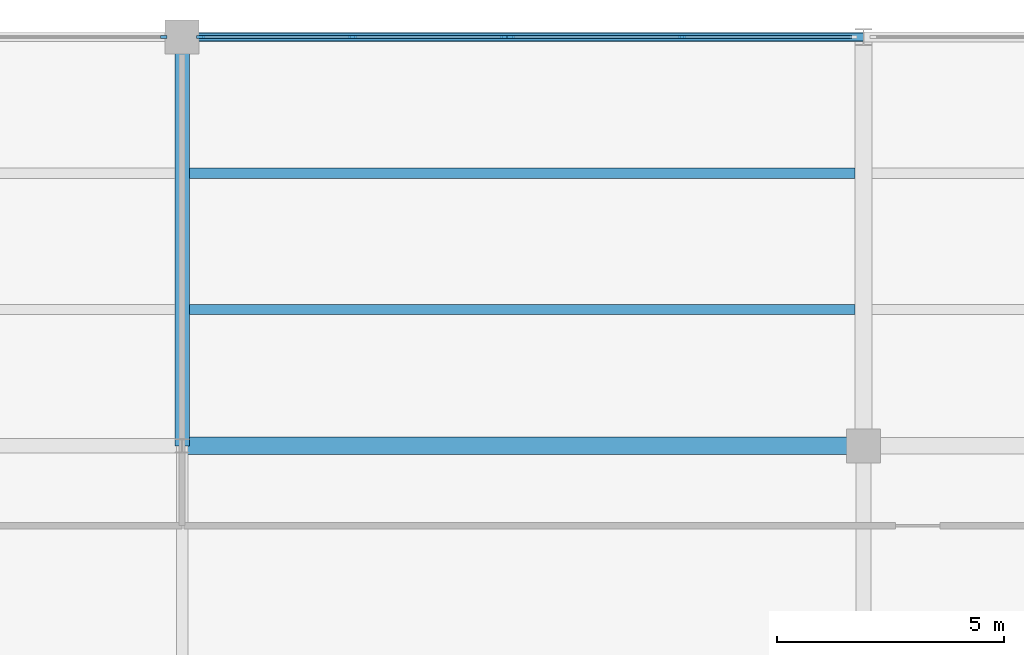
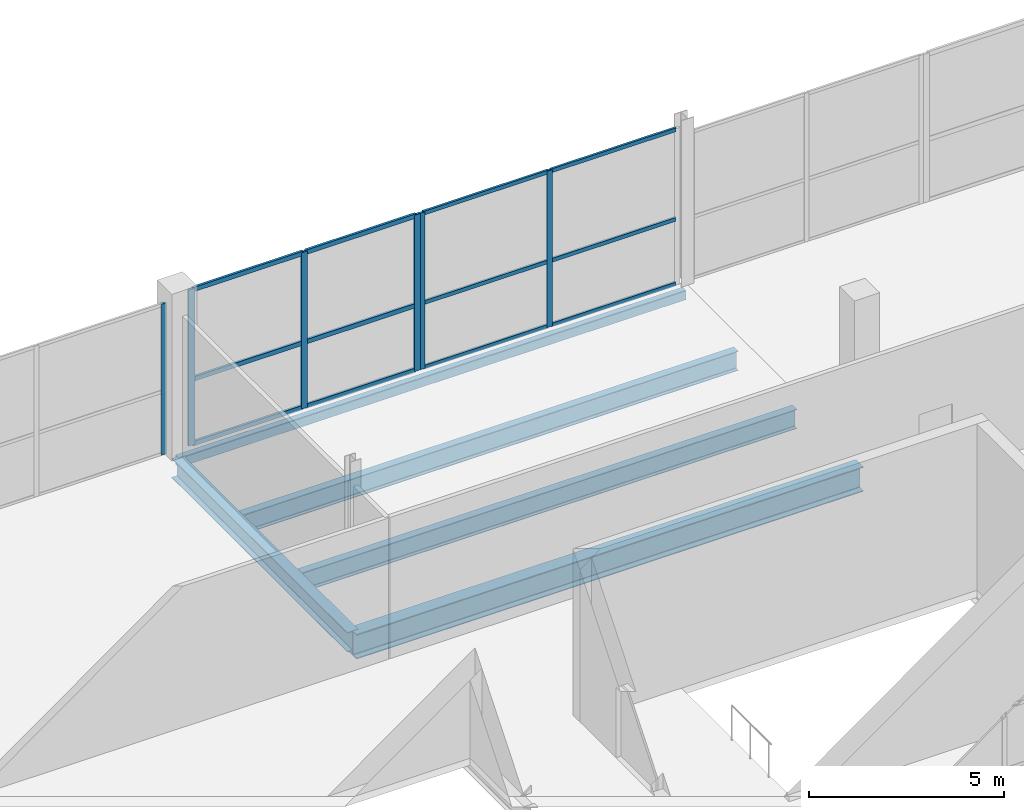
# One storey, part 35 of 119: 18 members, 5 beams, 3 elements without a shape of their own.
"""IFC4 building model written with IfcOpenShell, lengths in metres."""

from ifc_helpers import new_model, si_unit, direction, frame, origin, origin_2d, place, context, subcontext, project, spatial, rectangle, hollow_rectangle, i_section, extrude, material, layer, layer_set, material_profile, profile_set, type_object, element, aggregate, save


model = new_model("IFC4")

# Units and contexts
model_context = context("Model", 3, precision=1e-05, world=origin(), true_north=direction((0.0, 1.0)))
body_context = subcontext(model_context, "Body", "Model", "MODEL_VIEW")
ifc_project = project(units=[si_unit("LENGTHUNIT", "METRE"), si_unit("AREAUNIT", "SQUARE_METRE"), si_unit("VOLUMEUNIT", "CUBIC_METRE"), si_unit("PLANEANGLEUNIT", "RADIAN"), si_unit("MASSUNIT", "GRAM", prefix="KILO")], contexts=[model_context])

# Site, building, storey
site_placement = place(None, origin())
site = spatial("IfcSite", under=ifc_project, at=site_placement, CompositionType="ELEMENT")
building_placement = place(site_placement, origin())
building = spatial("IfcBuilding", under=site, at=building_placement, Name="Qamarlyn Nura Convention Centre", CompositionType="ELEMENT")
storey_placement = place(building_placement, frame((0.0, 0.0, 5.39990234375)))
storey = spatial("IfcBuildingStorey", under=building, at=storey_placement, Name="L01", CompositionType="ELEMENT", Elevation=5.39990234375)

# Beams
ifc_material_1 = material(Name="Steel ASTM A992", Category="steel")
ifc_material_profile_1 = material_profile(ifc_material_1, i_section(OverallWidth=0.323974609375, OverallDepth=0.611083984375, WebThickness=0.0126953125, FlangeThickness=0.01904296875, FilletRadius=0.01611328125, at=origin_2d()), Name="W610X155")
ifc_profile_set_1 = profile_set([ifc_material_profile_1], Name="Steel ASTM A992")
beam_type_1 = type_object("IfcBeamType", Name="BM-GIRD-610", PredefinedType="BEAM", material=ifc_profile_set_1)
beam_1_placement = place(storey_placement, frame((45.0, 117.0, -0.525390625), z_axis=(0.0, 1.0, 0.0), x_axis=(-1.0, 0.0, 0.0)))
element("IfcBeam", 1, at=beam_1_placement, inside=storey, type_object=beam_type_1, Name="L01 girder 4 P-Q", PredefinedType="BEAM", context=body_context, shape_type="SweptSolid", body=[
    extrude(i_section(OverallWidth=0.323974609375, OverallDepth=0.611083984375, WebThickness=0.0126953125, FlangeThickness=0.01904296875, FilletRadius=0.01611328125, at=origin_2d()), origin(), (0.0, 0.0, 1.0), 9.0),
])
ifc_material_profile_2 = material_profile(ifc_material_1, i_section(OverallWidth=0.381103515625, OverallDepth=0.77294921875, WebThickness=0.0166015625, FlangeThickness=0.027587890625, FilletRadius=0.02001953125, at=origin_2d()), Name="W760X257")
ifc_profile_set_2 = profile_set([ifc_material_profile_2], Name="Steel ASTM A992")
beam_type_2 = type_object("IfcBeamType", Name="BM-GIRD-760", PredefinedType="BEAM", material=ifc_profile_set_2)
beam_2_placement = place(storey_placement, frame((45.0, 117.0, -0.6064453125), z_axis=(1.0, 0.0, 0.0), x_axis=(0.0, 1.0, 0.0)))
element("IfcBeam", 2, at=beam_2_placement, inside=storey, type_object=beam_type_2, Name="L01 girder P 4-5", PredefinedType="BEAM", context=body_context, shape_type="SweptSolid", body=[
    extrude(i_section(OverallWidth=0.381103515625, OverallDepth=0.77294921875, WebThickness=0.0166015625, FlangeThickness=0.027587890625, FilletRadius=0.02001953125, at=origin_2d()), origin(), (0.0, 0.0, 1.0), 15.0),
])
ifc_material_profile_3 = material_profile(ifc_material_1, i_section(OverallWidth=0.22802734375, OverallDepth=0.60791015625, WebThickness=0.01123046875, FlangeThickness=0.017333984375, FilletRadius=0.01611328125, at=origin_2d()), Name="W610X113")
ifc_profile_set_3 = profile_set([ifc_material_profile_3], Name="Steel ASTM A992")
beam_type_3 = type_object("IfcBeamType", Name="BM-JOIST-610", PredefinedType="JOIST", material=ifc_profile_set_3)
for number, where, z_axis, x_axis, name in (
    (3, (45.162109375, 120.0, -0.52392578125), (1.0, 0.0, 0.0), (0.0, 1.0, 0.0), "L01 composite joist 4-5/P+1"),
    (4, (45.162109375, 123.0, -0.52392578125), (1.0, 0.0, 0.0), (0.0, 1.0, 0.0), "L01 composite joist 4-5/P+2"),
):
    element("IfcBeam", number, at=place(storey_placement, frame(where, z_axis=z_axis, x_axis=x_axis)), inside=storey, type_object=beam_type_3, Name=name, PredefinedType="JOIST", context=body_context, shape_type="SweptSolid", body=[
        extrude(i_section(OverallWidth=0.22802734375, OverallDepth=0.60791015625, WebThickness=0.01123046875, FlangeThickness=0.017333984375, FilletRadius=0.01611328125, at=origin_2d()), origin(), (0.0, 0.0, 1.0), 14.6474609375),
    ])
ifc_material_2 = material(Name="Steel ASTM A500 Grade C", Category="steel")
ifc_material_profile_4 = material_profile(ifc_material_2, hollow_rectangle(XDim=0.199951171875, YDim=0.300048828125, WallThickness=0.012451171875, InnerFilletRadius=0.012451171875, OuterFilletRadius=0.02490234375, at=origin_2d()), Name="HSS300X200X12.5")
ifc_profile_set_4 = profile_set([ifc_material_profile_4], Name="Steel ASTM A500 Grade C")
beam_type_4 = type_object("IfcBeamType", Name="BM-SPAN-HSS", PredefinedType="SPANDREL", material=ifc_profile_set_4)
beam_3_placement = place(storey_placement, frame((45.0, 126.0, -0.369873046875), z_axis=(1.0, 0.0, 0.0), x_axis=(0.0, 1.0, 0.0)))
element("IfcBeam", 5, at=beam_3_placement, inside=storey, type_object=beam_type_4, Name="L01 girder Q 4-5", PredefinedType="SPANDREL", context=body_context, shape_type="SweptSolid", body=[
    extrude(hollow_rectangle(XDim=0.199951171875, YDim=0.300048828125, WallThickness=0.012451171875, InnerFilletRadius=0.012451171875, OuterFilletRadius=0.02490234375, at=origin_2d()), origin(), (0.0, 0.0, 1.0), 15.0),
])

# Curtain wall, member
ifc_material_3 = material(Name="Double-silver low-E insulated glass", Category="glass")
ifc_layer_1 = layer(ifc_material_3, 0.179931640625, Name="CW-UNIT-46")
ifc_layer_set_1 = layer_set([ifc_layer_1], Name="Double-silver low-E insulated glass")
curtain_wall_type_1 = type_object("IfcCurtainWallType", Name="CW-UNIT-46", PredefinedType="NOTDEFINED", material=ifc_layer_set_1)
curtain_wall_1_placement = place(storey_placement, origin())
curtain_wall_1 = element("IfcCurtainWall", 6, at=curtain_wall_1_placement, inside=storey, type_object=curtain_wall_type_1, Name="L01 unitised curtain wall NS-N2-1B", PredefinedType="NOTDEFINED")
ifc_material_4 = material(Name="Champagne-anodised marine aluminium", Category="aluminium")
ifc_material_profile_5 = material_profile(ifc_material_4, rectangle(XDim=0.06005859375, YDim=0.139892578125, at=origin_2d()), Name="ALU MULLION 60x140")
ifc_profile_set_5 = profile_set([ifc_material_profile_5], Name="Champagne-anodised marine aluminium")
member_type_1 = type_object("IfcMemberType", Name="CWM-140", PredefinedType="MULLION", material=ifc_profile_set_5)
member_1_placement = place(storey_placement, frame((44.594970703125, 126.0, 0.0), z_axis=(0.0, 0.0, 1.0), x_axis=(0.0, 1.0, 0.0)))
member_1 = element("IfcMember", 7, at=member_1_placement, type_object=member_type_1, Name="CW46 mullion 3", PredefinedType="MULLION", context=body_context, shape_type="SweptSolid", body=[
    extrude(rectangle(XDim=0.06005859375, YDim=0.139892578125, at=origin_2d()), origin(), (0.0, 0.0, 1.0), 4.72412109375),
])
aggregate(curtain_wall_1, [member_1])

# Curtain wall, members
ifc_layer_2 = layer(ifc_material_3, 0.179931640625, Name="CW-UNIT-48")
ifc_layer_set_2 = layer_set([ifc_layer_2], Name="Double-silver low-E insulated glass")
curtain_wall_type_2 = type_object("IfcCurtainWallType", Name="CW-UNIT-48", PredefinedType="NOTDEFINED", material=ifc_layer_set_2)
curtain_wall_2_placement = place(storey_placement, origin())
curtain_wall_2 = element("IfcCurtainWall", 8, at=curtain_wall_2_placement, inside=storey, type_object=curtain_wall_type_2, Name="L01 unitised curtain wall NS-N3-1B", PredefinedType="NOTDEFINED")
ifc_material_profile_6 = material_profile(ifc_material_4, rectangle(XDim=0.06494140625, YDim=0.159912109375, at=origin_2d()), Name="ALU MULLION 65x160")
ifc_profile_set_6 = profile_set([ifc_material_profile_6], Name="Champagne-anodised marine aluminium")
member_type_2 = type_object("IfcMemberType", Name="CWM-160", PredefinedType="MULLION", material=ifc_profile_set_6)
member_2_placement = place(storey_placement, frame((52.2333984375, 126.0, 0.0), z_axis=(0.0, 0.0, 1.0), x_axis=(0.0, 1.0, 0.0)))
member_2 = element("IfcMember", 9, at=member_2_placement, type_object=member_type_2, Name="CW48 mullion 1", PredefinedType="MULLION", context=body_context, shape_type="SweptSolid", body=[
    extrude(rectangle(XDim=0.06494140625, YDim=0.159912109375, at=origin_2d()), origin(), (0.0, 0.0, 1.0), 4.89013671875),
])
member_3_placement = place(storey_placement, frame((56.0068359375, 126.0, 0.0), z_axis=(0.0, 0.0, 1.0), x_axis=(0.0, 1.0, 0.0)))
member_3 = element("IfcMember", 10, at=member_3_placement, type_object=member_type_2, Name="CW48 mullion 2", PredefinedType="MULLION", context=body_context, shape_type="SweptSolid", body=[
    extrude(rectangle(XDim=0.06494140625, YDim=0.159912109375, at=origin_2d()), origin(), (0.0, 0.0, 1.0), 4.89013671875),
])

ifc_layer_3 = layer(ifc_material_3, 0.179931640625, Name="CW-UNIT-47")
ifc_layer_set_3 = layer_set([ifc_layer_3], Name="Double-silver low-E insulated glass")
curtain_wall_type_3 = type_object("IfcCurtainWallType", Name="CW-UNIT-47", PredefinedType="NOTDEFINED", material=ifc_layer_set_3)
curtain_wall_3_placement = place(storey_placement, origin())
curtain_wall_3 = element("IfcCurtainWall", 11, at=curtain_wall_3_placement, inside=storey, type_object=curtain_wall_type_3, Name="L01 unitised curtain wall NS-N3-1A", PredefinedType="NOTDEFINED")
ifc_material_profile_7 = material_profile(ifc_material_4, rectangle(XDim=0.070068359375, YDim=0.179931640625, at=origin_2d()), Name="ALU MULLION 70x180")
ifc_profile_set_7 = profile_set([ifc_material_profile_7], Name="Champagne-anodised marine aluminium")
member_type_3 = type_object("IfcMemberType", Name="CWM-180", PredefinedType="MULLION", material=ifc_profile_set_7)
member_4_placement = place(storey_placement, frame((45.409912109375, 126.0, 0.0), z_axis=(0.0, 0.0, 1.0), x_axis=(0.0, 1.0, 0.0)))
member_4 = element("IfcMember", 12, at=member_4_placement, type_object=member_type_3, Name="CW47 mullion 1", PredefinedType="MULLION", context=body_context, shape_type="SweptSolid", body=[
    extrude(rectangle(XDim=0.070068359375, YDim=0.179931640625, at=origin_2d()), origin(), (0.0, 0.0, 1.0), 4.89013671875),
])
member_5_placement = place(storey_placement, frame((48.748046875, 126.0, 0.0), z_axis=(0.0, 0.0, 1.0), x_axis=(0.0, 1.0, 0.0)))
member_5 = element("IfcMember", 13, at=member_5_placement, type_object=member_type_3, Name="CW47 mullion 2", PredefinedType="MULLION", context=body_context, shape_type="SweptSolid", body=[
    extrude(rectangle(XDim=0.070068359375, YDim=0.179931640625, at=origin_2d()), origin(), (0.0, 0.0, 1.0), 4.89013671875),
])
member_6_placement = place(storey_placement, frame((52.0859375, 126.0, 0.0), z_axis=(0.0, 0.0, 1.0), x_axis=(0.0, 1.0, 0.0)))
member_6 = element("IfcMember", 14, at=member_6_placement, type_object=member_type_3, Name="CW47 mullion 3", PredefinedType="MULLION", context=body_context, shape_type="SweptSolid", body=[
    extrude(rectangle(XDim=0.070068359375, YDim=0.179931640625, at=origin_2d()), origin(), (0.0, 0.0, 1.0), 4.89013671875),
])

# Member
ifc_material_profile_8 = material_profile(ifc_material_4, rectangle(XDim=0.06494140625, YDim=0.1201171875, at=origin_2d()), Name="ALU TRANSOM 65x120")
ifc_profile_set_8 = profile_set([ifc_material_profile_8], Name="Champagne-anodised marine aluminium")
member_type_4 = type_object("IfcMemberType", Name="CWT-120", PredefinedType="USERDEFINED", material=ifc_profile_set_8)
member_7_placement = place(storey_placement, frame((52.265869140625, 126.0, 0.03271484375), z_axis=(1.0, 0.0, 0.0), x_axis=(0.0, 1.0, 0.0)))
member_7 = element("IfcMember", 15, at=member_7_placement, type_object=member_type_4, Name="CW48 transom 1.1", ObjectType="TRANSOM", PredefinedType="USERDEFINED", context=body_context, shape_type="SweptSolid", body=[
    extrude(rectangle(XDim=0.06494140625, YDim=0.1201171875, at=origin_2d()), origin(), (0.0, 0.0, 1.0), 3.70849609375),
])

member_8_placement = place(storey_placement, frame((52.265869140625, 126.0, 2.05419921875), z_axis=(1.0, 0.0, 0.0), x_axis=(0.0, 1.0, 0.0)))
member_8 = element("IfcMember", 16, at=member_8_placement, type_object=member_type_4, Name="CW48 transom 1.2", ObjectType="TRANSOM", PredefinedType="USERDEFINED", context=body_context, shape_type="SweptSolid", body=[
    extrude(rectangle(XDim=0.06494140625, YDim=0.1201171875, at=origin_2d()), origin(), (0.0, 0.0, 1.0), 3.70849609375),
])

member_9_placement = place(storey_placement, frame((52.265869140625, 126.0, 4.857666015625), z_axis=(1.0, 0.0, 0.0), x_axis=(0.0, 1.0, 0.0)))
member_9 = element("IfcMember", 17, at=member_9_placement, type_object=member_type_4, Name="CW48 transom 1.3", ObjectType="TRANSOM", PredefinedType="USERDEFINED", context=body_context, shape_type="SweptSolid", body=[
    extrude(rectangle(XDim=0.06494140625, YDim=0.1201171875, at=origin_2d()), origin(), (0.0, 0.0, 1.0), 3.70849609375),
])

member_10_placement = place(storey_placement, frame((56.03955078125, 126.0, 0.03271484375), z_axis=(1.0, 0.0, 0.0), x_axis=(0.0, 1.0, 0.0)))
member_10 = element("IfcMember", 18, at=member_10_placement, type_object=member_type_4, Name="CW48 transom 2.1", ObjectType="TRANSOM", PredefinedType="USERDEFINED", context=body_context, shape_type="SweptSolid", body=[
    extrude(rectangle(XDim=0.06494140625, YDim=0.1201171875, at=origin_2d()), origin(), (0.0, 0.0, 1.0), 3.70849609375),
])

member_11_placement = place(storey_placement, frame((56.03955078125, 126.0, 2.05419921875), z_axis=(1.0, 0.0, 0.0), x_axis=(0.0, 1.0, 0.0)))
member_11 = element("IfcMember", 19, at=member_11_placement, type_object=member_type_4, Name="CW48 transom 2.2", ObjectType="TRANSOM", PredefinedType="USERDEFINED", context=body_context, shape_type="SweptSolid", body=[
    extrude(rectangle(XDim=0.06494140625, YDim=0.1201171875, at=origin_2d()), origin(), (0.0, 0.0, 1.0), 3.70849609375),
])

member_12_placement = place(storey_placement, frame((56.03955078125, 126.0, 4.857666015625), z_axis=(1.0, 0.0, 0.0), x_axis=(0.0, 1.0, 0.0)))
member_12 = element("IfcMember", 20, at=member_12_placement, type_object=member_type_4, Name="CW48 transom 2.3", ObjectType="TRANSOM", PredefinedType="USERDEFINED", context=body_context, shape_type="SweptSolid", body=[
    extrude(rectangle(XDim=0.06494140625, YDim=0.1201171875, at=origin_2d()), origin(), (0.0, 0.0, 1.0), 3.70849609375),
])

aggregate(curtain_wall_2, [member_2, member_3, member_7, member_8, member_9, member_10, member_11, member_12])

ifc_material_profile_9 = material_profile(ifc_material_4, rectangle(XDim=0.070068359375, YDim=0.139892578125, at=origin_2d()), Name="ALU TRANSOM 70x140")
ifc_profile_set_9 = profile_set([ifc_material_profile_9], Name="Champagne-anodised marine aluminium")
member_type_5 = type_object("IfcMemberType", Name="CWT-140", PredefinedType="USERDEFINED", material=ifc_profile_set_9)
member_13_placement = place(storey_placement, frame((45.445068359375, 126.0, 0.03515625), z_axis=(1.0, 0.0, 0.0), x_axis=(0.0, 1.0, 0.0)))
member_13 = element("IfcMember", 21, at=member_13_placement, type_object=member_type_5, Name="CW47 transom 1.1", ObjectType="TRANSOM", PredefinedType="USERDEFINED", context=body_context, shape_type="SweptSolid", body=[
    extrude(rectangle(XDim=0.070068359375, YDim=0.139892578125, at=origin_2d()), origin(), (0.0, 0.0, 1.0), 3.267822265625),
])

member_14_placement = place(storey_placement, frame((45.445068359375, 126.0, 2.05419921875), z_axis=(1.0, 0.0, 0.0), x_axis=(0.0, 1.0, 0.0)))
member_14 = element("IfcMember", 22, at=member_14_placement, type_object=member_type_5, Name="CW47 transom 1.2", ObjectType="TRANSOM", PredefinedType="USERDEFINED", context=body_context, shape_type="SweptSolid", body=[
    extrude(rectangle(XDim=0.070068359375, YDim=0.139892578125, at=origin_2d()), origin(), (0.0, 0.0, 1.0), 3.267822265625),
])

member_15_placement = place(storey_placement, frame((45.445068359375, 126.0, 4.85498046875), z_axis=(1.0, 0.0, 0.0), x_axis=(0.0, 1.0, 0.0)))
member_15 = element("IfcMember", 23, at=member_15_placement, type_object=member_type_5, Name="CW47 transom 1.3", ObjectType="TRANSOM", PredefinedType="USERDEFINED", context=body_context, shape_type="SweptSolid", body=[
    extrude(rectangle(XDim=0.070068359375, YDim=0.139892578125, at=origin_2d()), origin(), (0.0, 0.0, 1.0), 3.267822265625),
])

member_16_placement = place(storey_placement, frame((48.782958984375, 126.0, 0.03515625), z_axis=(1.0, 0.0, 0.0), x_axis=(0.0, 1.0, 0.0)))
member_16 = element("IfcMember", 24, at=member_16_placement, type_object=member_type_5, Name="CW47 transom 2.1", ObjectType="TRANSOM", PredefinedType="USERDEFINED", context=body_context, shape_type="SweptSolid", body=[
    extrude(rectangle(XDim=0.070068359375, YDim=0.139892578125, at=origin_2d()), origin(), (0.0, 0.0, 1.0), 3.267822265625),
])

member_17_placement = place(storey_placement, frame((48.782958984375, 126.0, 2.05419921875), z_axis=(1.0, 0.0, 0.0), x_axis=(0.0, 1.0, 0.0)))
member_17 = element("IfcMember", 25, at=member_17_placement, type_object=member_type_5, Name="CW47 transom 2.2", ObjectType="TRANSOM", PredefinedType="USERDEFINED", context=body_context, shape_type="SweptSolid", body=[
    extrude(rectangle(XDim=0.070068359375, YDim=0.139892578125, at=origin_2d()), origin(), (0.0, 0.0, 1.0), 3.267822265625),
])

member_18_placement = place(storey_placement, frame((48.782958984375, 126.0, 4.85498046875), z_axis=(1.0, 0.0, 0.0), x_axis=(0.0, 1.0, 0.0)))
member_18 = element("IfcMember", 26, at=member_18_placement, type_object=member_type_5, Name="CW47 transom 2.3", ObjectType="TRANSOM", PredefinedType="USERDEFINED", context=body_context, shape_type="SweptSolid", body=[
    extrude(rectangle(XDim=0.070068359375, YDim=0.139892578125, at=origin_2d()), origin(), (0.0, 0.0, 1.0), 3.267822265625),
])

aggregate(curtain_wall_3, [member_4, member_5, member_6, member_13, member_14, member_15, member_16, member_17, member_18])

save(model, "model.ifc")
